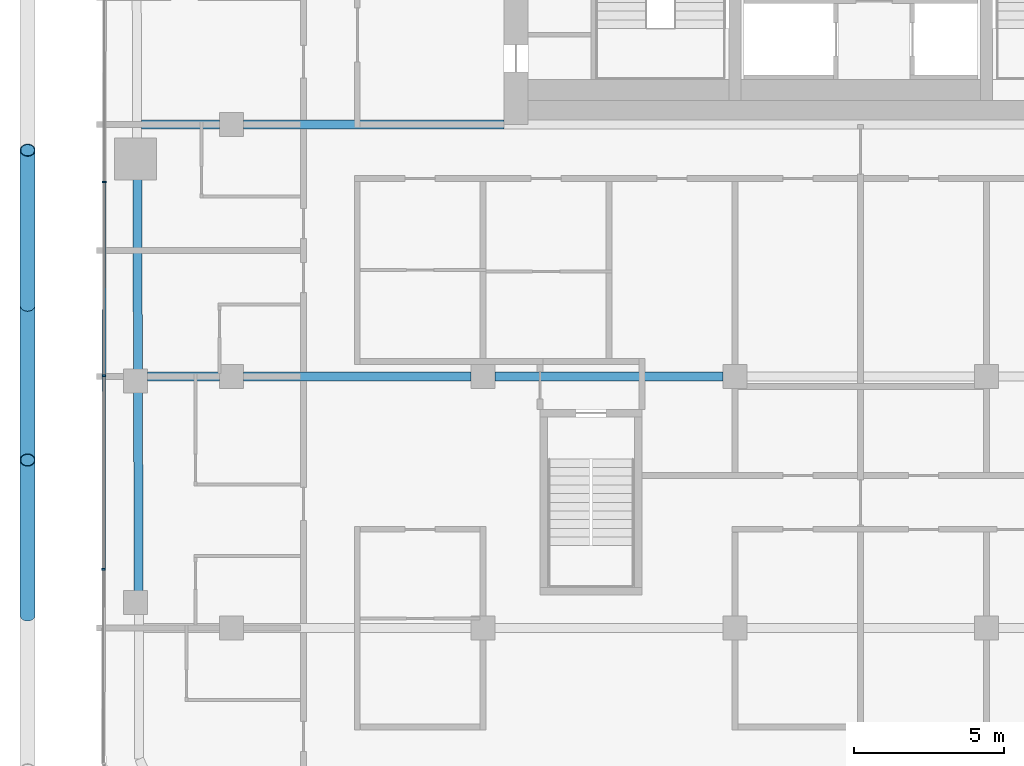
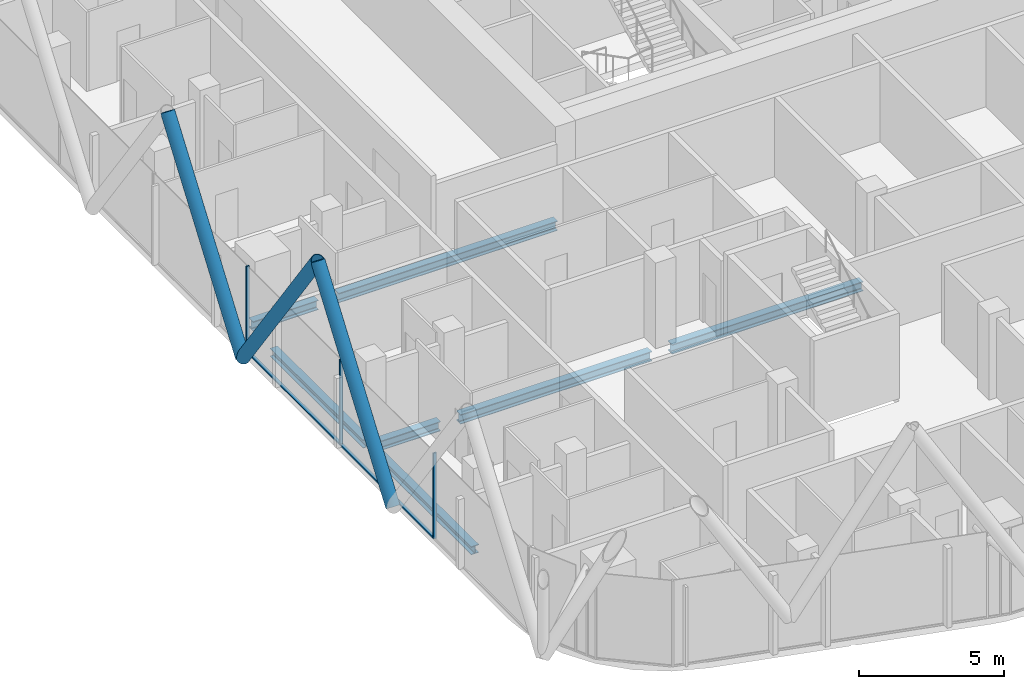
# One storey, part 4 of 28: 8 members, 7 beams, 1 element without a shape of its own.
"""IFC4 building model written with IfcOpenShell, lengths in metres."""

from ifc_helpers import new_model, si_unit, direction, frame, origin, origin_2d, place, context, subcontext, project, spatial, rectangle, hollow_circle, i_section, extrude, material, layer, layer_set, material_profile, profile_set, type_object, element, aggregate, save


model = new_model("IFC4")

# Units and contexts
model_context = context("Model", 3, precision=1e-05, world=origin(), true_north=direction((0.0, 1.0)))
body_context = subcontext(model_context, "Body", "Model", "MODEL_VIEW")
ifc_project = project(units=[si_unit("LENGTHUNIT", "METRE"), si_unit("AREAUNIT", "SQUARE_METRE"), si_unit("VOLUMEUNIT", "CUBIC_METRE"), si_unit("PLANEANGLEUNIT", "RADIAN"), si_unit("MASSUNIT", "GRAM", prefix="KILO")], contexts=[model_context])

# Site, building, storey
site_placement = place(None, origin())
site = spatial("IfcSite", under=ifc_project, at=site_placement, CompositionType="ELEMENT")
building_placement = place(site_placement, origin())
building = spatial("IfcBuilding", under=site, at=building_placement, Name="Marenta Gate Hotel Tower", CompositionType="ELEMENT")
storey_placement = place(building_placement, frame((0.0, 0.0, 212.89990234375)))
storey = spatial("IfcBuildingStorey", under=building, at=storey_placement, Name="L49", CompositionType="ELEMENT", Elevation=212.89990234375)

# Members
ifc_material_1 = material(Name="Steel S355J2W", Category="steel")
ifc_material_profile_1 = material_profile(ifc_material_1, hollow_circle(Radius=0.25390625, WallThickness=0.02490234375, at=origin_2d()), Name="CHS 508x25")
ifc_profile_set_1 = profile_set([ifc_material_profile_1], Name="Steel S355J2W")
member_type_1 = type_object("IfcMemberType", Name="Diagrid diagonal Z3 CHS 508x25", PredefinedType="BRACE", material=ifc_profile_set_1)
member_1_placement = place(storey_placement, frame((-27.800048828125, -16.360107421875, 3.14013671875), z_axis=(0.0, 0.583260841117, 0.812284919975), x_axis=(-1.0, 0.0, 0.0)))
element("IfcMember", 1, at=member_1_placement, inside=storey, type_object=member_type_1, Name="L49-DG-27", PredefinedType="BRACE", context=body_context, shape_type="SweptSolid", body=[
    extrude(hollow_circle(Radius=0.25390625, WallThickness=0.02490234375, at=origin_2d()), origin(), (0.0, 0.0, 1.0), 8.86376953125),
])
member_2_placement = place(storey_placement, frame((-27.800048828125, -6.02001953125, 3.14013671875), z_axis=(0.0, -0.583279014058, 0.812271870595), x_axis=(1.0, 0.0, 0.0)))
element("IfcMember", 2, at=member_2_placement, inside=storey, type_object=member_type_1, Name="L49-DG-28", PredefinedType="BRACE", context=body_context, shape_type="SweptSolid", body=[
    extrude(hollow_circle(Radius=0.25390625, WallThickness=0.02490234375, at=origin_2d()), origin(), (0.0, 0.0, 1.0), 8.864013671875),
])
member_3_placement = place(storey_placement, frame((-27.800048828125, -6.02001953125, 3.14013671875), z_axis=(0.0, 0.583260841117, 0.812284919975), x_axis=(-1.0, 0.0, 0.0)))
element("IfcMember", 3, at=member_3_placement, inside=storey, type_object=member_type_1, Name="L49-DG-29", PredefinedType="BRACE", context=body_context, shape_type="SweptSolid", body=[
    extrude(hollow_circle(Radius=0.25390625, WallThickness=0.02490234375, at=origin_2d()), origin(), (0.0, 0.0, 1.0), 8.86376953125),
])

# Beams
ifc_material_2 = material(Name="Steel S355", Category="steel")
ifc_material_profile_2 = material_profile(ifc_material_2, i_section(OverallWidth=0.300048828125, OverallDepth=0.340087890625, WebThickness=0.011962890625, FlangeThickness=0.021484375, FilletRadius=0.027099609375, at=origin_2d()), Name="HEB 340")
ifc_profile_set_2 = profile_set([ifc_material_profile_2], Name="Steel S355")
beam_type_1 = type_object("IfcBeamType", Name="Edge beam HEB 340", PredefinedType="SPANDREL", material=ifc_profile_set_2)
beam_1_placement = place(storey_placement, frame((-24.09375, -15.591796875, -0.429931640625), z_axis=(-0.00332539729, 0.999994470851, 0.0), x_axis=(-0.999994470851, -0.00332539729, 0.0)))
element("IfcBeam", 4, at=beam_1_placement, inside=storey, type_object=beam_type_1, Name="L49-EB-6", PredefinedType="SPANDREL", context=body_context, shape_type="SweptSolid", body=[
    extrude(i_section(OverallWidth=0.300048828125, OverallDepth=0.340087890625, WebThickness=0.011962890625, FlangeThickness=0.021484375, FilletRadius=0.027099609375, at=origin_2d()), origin(), (0.0, 0.0, 1.0), 6.680908203125),
])
beam_2_placement = place(storey_placement, frame((-24.118408203125, -8.19091796875, -0.429931640625), z_axis=(-0.003328723523, 0.999994459785, 0.0), x_axis=(-0.999994459785, -0.003328723523, 0.0)))
element("IfcBeam", 5, at=beam_2_placement, inside=storey, type_object=beam_type_1, Name="L49-EB-7", PredefinedType="SPANDREL", context=body_context, shape_type="SweptSolid", body=[
    extrude(i_section(OverallWidth=0.300048828125, OverallDepth=0.340087890625, WebThickness=0.011962890625, FlangeThickness=0.021484375, FilletRadius=0.027099609375, at=origin_2d()), origin(), (0.0, 0.0, 1.0), 6.380859375),
])
ifc_material_3 = material(Name="Steel S355", Category="steel")
ifc_material_profile_3 = material_profile(ifc_material_3, i_section(OverallWidth=0.300048828125, OverallDepth=0.39990234375, WebThickness=0.013427734375, FlangeThickness=0.02392578125, FilletRadius=0.027099609375, at=origin_2d()), Name="HEB 400")
ifc_profile_set_3 = profile_set([ifc_material_profile_3], Name="Steel S355")
beam_type_2 = type_object("IfcBeamType", Name="Girder HEB 400", PredefinedType="BEAM", material=ifc_profile_set_3)
beam_3_placement = place(storey_placement, frame((-23.800048828125, -8.39990234375, -0.4599609375), z_axis=(1.0, 0.0, 0.0), x_axis=(0.0, 1.0, 0.0)))
element("IfcBeam", 6, at=beam_3_placement, inside=storey, type_object=beam_type_2, Name="L49-GD-13", PredefinedType="BEAM", context=body_context, shape_type="SweptSolid", body=[
    extrude(i_section(OverallWidth=0.300048828125, OverallDepth=0.39990234375, WebThickness=0.013427734375, FlangeThickness=0.02392578125, FilletRadius=0.027099609375, at=origin_2d()), origin(), (0.0, 0.0, 1.0), 2.400146484375),
])
beam_4_placement = place(storey_placement, frame((-20.60009765625, -8.39990234375, -0.4599609375), z_axis=(1.0, 0.0, 0.0), x_axis=(0.0, 1.0, 0.0)))
element("IfcBeam", 7, at=beam_4_placement, inside=storey, type_object=beam_type_2, Name="L49-GD-14", PredefinedType="BEAM", context=body_context, shape_type="SweptSolid", body=[
    extrude(i_section(OverallWidth=0.300048828125, OverallDepth=0.39990234375, WebThickness=0.013427734375, FlangeThickness=0.02392578125, FilletRadius=0.027099609375, at=origin_2d()), origin(), (0.0, 0.0, 1.0), 7.60009765625),
])
beam_5_placement = place(storey_placement, frame((-12.199951171875, -8.39990234375, -0.4599609375), z_axis=(1.0, 0.0, 0.0), x_axis=(0.0, 1.0, 0.0)))
element("IfcBeam", 8, at=beam_5_placement, inside=storey, type_object=beam_type_2, Name="L49-GD-15", PredefinedType="BEAM", context=body_context, shape_type="SweptSolid", body=[
    extrude(i_section(OverallWidth=0.300048828125, OverallDepth=0.39990234375, WebThickness=0.013427734375, FlangeThickness=0.02392578125, FilletRadius=0.027099609375, at=origin_2d()), origin(), (0.0, 0.0, 1.0), 7.599853515625),
])
beam_6_placement = place(storey_placement, frame((-23.99560546875, 0.0, -0.4599609375), z_axis=(1.0, 0.0, 0.0), x_axis=(0.0, 1.0, 0.0)))
element("IfcBeam", 9, at=beam_6_placement, inside=storey, type_object=beam_type_2, Name="L49-GD-20", PredefinedType="BEAM", context=body_context, shape_type="SweptSolid", body=[
    extrude(i_section(OverallWidth=0.300048828125, OverallDepth=0.39990234375, WebThickness=0.013427734375, FlangeThickness=0.02392578125, FilletRadius=0.027099609375, at=origin_2d()), origin(), (0.0, 0.0, 1.0), 2.595703125),
])
beam_7_placement = place(storey_placement, frame((-20.60009765625, 0.0, -0.4599609375), z_axis=(1.0, 0.0, 0.0), x_axis=(0.0, 1.0, 0.0)))
element("IfcBeam", 10, at=beam_7_placement, inside=storey, type_object=beam_type_2, Name="L49-GD-21", PredefinedType="BEAM", context=body_context, shape_type="SweptSolid", body=[
    extrude(i_section(OverallWidth=0.300048828125, OverallDepth=0.39990234375, WebThickness=0.013427734375, FlangeThickness=0.02392578125, FilletRadius=0.027099609375, at=origin_2d()), origin(), (0.0, 0.0, 1.0), 8.7001953125),
])

# Curtain wall, members
ifc_material_4 = material(Name="Tinted insulated glass in bronze anodised frame", Category="glass")
ifc_layer = layer(ifc_material_4, 0.1201171875)
ifc_layer_set = layer_set([ifc_layer], Name="Tinted insulated glass in bronze anodised frame")
curtain_wall_type = type_object("IfcCurtainWallType", Name="Tower unitised curtain wall CW1", PredefinedType="NOTDEFINED", material=ifc_layer_set)
curtain_wall_placement = place(storey_placement, origin())
curtain_wall = element("IfcCurtainWall", 11, at=curtain_wall_placement, inside=storey, type_object=curtain_wall_type, Name="CW1 run G04", PredefinedType="NOTDEFINED")
ifc_material_5 = material(Name="Bronze anodised aluminium", Category="aluminium")
ifc_material_profile_4 = material_profile(ifc_material_5, rectangle(XDim=0.1201171875, YDim=0.06005859375, at=origin_2d()), Name="Mullion CW1 60x120 bronze anodised aluminium")
ifc_profile_set_4 = profile_set([ifc_material_profile_4], Name="Bronze anodised aluminium")
member_type_2 = type_object("IfcMemberType", Name="Mullion CW1 60x120 bronze anodised aluminium", PredefinedType="MULLION", material=ifc_profile_set_4)
member_4_placement = place(storey_placement, frame((-25.24267578125, -1.913818359375, 0.0), z_axis=(0.0, 0.0, 1.0), x_axis=(0.99999877375, -0.001566045546, 0.0)))
member_4 = element("IfcMember", 12, at=member_4_placement, type_object=member_type_2, Name="CW1 mullion 4", PredefinedType="MULLION", context=body_context, shape_type="SweptSolid", body=[
    extrude(rectangle(XDim=0.1201171875, YDim=0.06005859375, at=origin_2d()), origin(), (0.0, 0.0, 1.0), 3.60009765625),
])
member_5_placement = place(storey_placement, frame((-25.252685546875, -8.373779296875, 0.0), z_axis=(0.0, 0.0, 1.0), x_axis=(0.99999877375, -0.001566045546, 0.0)))
member_5 = element("IfcMember", 13, at=member_5_placement, type_object=member_type_2, Name="CW1 mullion 5", PredefinedType="MULLION", context=body_context, shape_type="SweptSolid", body=[
    extrude(rectangle(XDim=0.1201171875, YDim=0.06005859375, at=origin_2d()), origin(), (0.0, 0.0, 1.0), 3.60009765625),
])
member_6_placement = place(storey_placement, frame((-25.262939453125, -14.833740234375, 0.0), z_axis=(0.0, 0.0, 1.0), x_axis=(0.99999877375, -0.001566045546, 0.0)))
member_6 = element("IfcMember", 14, at=member_6_placement, type_object=member_type_2, Name="CW1 mullion 6", PredefinedType="MULLION", context=body_context, shape_type="SweptSolid", body=[
    extrude(rectangle(XDim=0.1201171875, YDim=0.06005859375, at=origin_2d()), origin(), (0.0, 0.0, 1.0), 3.60009765625),
])
ifc_material_6 = material(Name="Bronze anodised aluminium", Category="aluminium")
ifc_material_profile_5 = material_profile(ifc_material_6, rectangle(XDim=0.1201171875, YDim=0.06005859375, at=origin_2d()), Name="Transom CW1 60x120 bronze anodised aluminium")
ifc_profile_set_5 = profile_set([ifc_material_profile_5], Name="Bronze anodised aluminium")
member_type_3 = type_object("IfcMemberType", Name="Transom CW1 60x120 bronze anodised aluminium", PredefinedType="USERDEFINED", material=ifc_profile_set_5)
member_7_placement = place(storey_placement, frame((-25.24267578125, -1.94384765625, 0.030029296875), z_axis=(-0.001564047831, -0.999998776876, 0.0), x_axis=(0.999998776876, -0.001564047831, 0.0)))
member_7 = element("IfcMember", 15, at=member_7_placement, type_object=member_type_3, Name="CW1 transom 4.1", ObjectType="TRANSOM", PredefinedType="USERDEFINED", context=body_context, shape_type="SweptSolid", body=[
    extrude(rectangle(XDim=0.1201171875, YDim=0.06005859375, at=origin_2d()), origin(), (0.0, 0.0, 1.0), 6.39990234375),
])
member_8_placement = place(storey_placement, frame((-25.2529296875, -8.40380859375, 0.030029296875), z_axis=(-0.001564047831, -0.999998776876, 0.0), x_axis=(0.999998776876, -0.001564047831, 0.0)))
member_8 = element("IfcMember", 16, at=member_8_placement, type_object=member_type_3, Name="CW1 transom 5.1", ObjectType="TRANSOM", PredefinedType="USERDEFINED", context=body_context, shape_type="SweptSolid", body=[
    extrude(rectangle(XDim=0.1201171875, YDim=0.06005859375, at=origin_2d()), origin(), (0.0, 0.0, 1.0), 6.39990234375),
])
aggregate(curtain_wall, [member_4, member_5, member_6, member_7, member_8])

save(model, "model.ifc")
